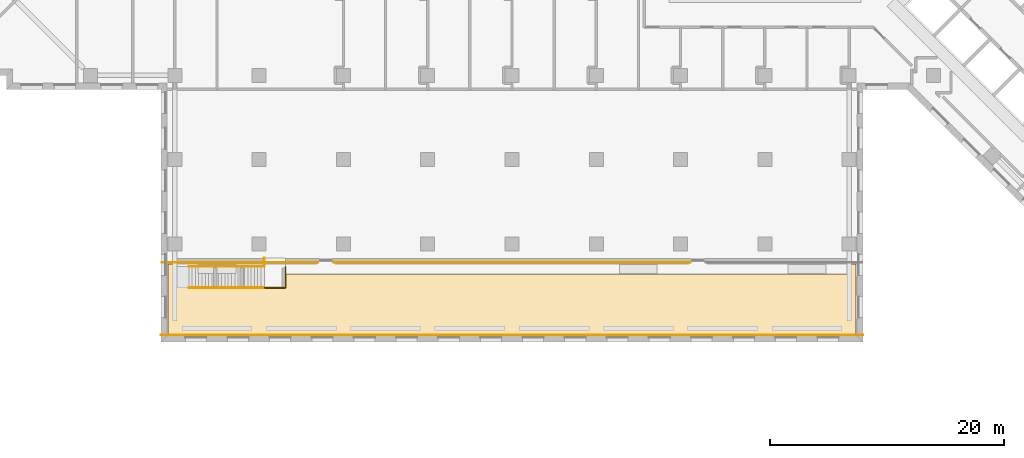
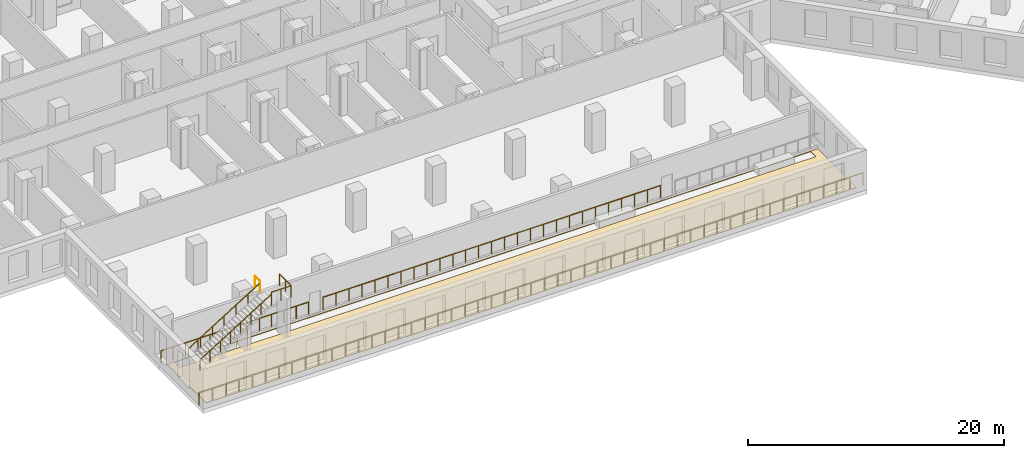
# One storey, part 11 of 14: 7 railings, 1 covering.
"""IFC4 building model written with IfcOpenShell, lengths in metres."""

from ifc_helpers import new_model, si_unit, direction, frame, origin, origin_2d, place, context, subcontext, project, spatial, polyline, circle, outline, extrude, material, layer, layer_set, type_object, element, save


model = new_model("IFC4")

# Units and contexts
model_context = context("Model", 3, precision=1e-05, world=origin(), true_north=direction((0.0, 1.0)))
body_context = subcontext(model_context, "Body", "Model", "MODEL_VIEW")
ifc_project = project(units=[si_unit("LENGTHUNIT", "METRE"), si_unit("AREAUNIT", "SQUARE_METRE"), si_unit("VOLUMEUNIT", "CUBIC_METRE"), si_unit("PLANEANGLEUNIT", "RADIAN"), si_unit("MASSUNIT", "GRAM", prefix="KILO")], contexts=[model_context])

# Site, building, storey
site_placement = place(None, origin())
site = spatial("IfcSite", under=ifc_project, at=site_placement, CompositionType="ELEMENT")
building_placement = place(site_placement, origin())
building = spatial("IfcBuilding", under=site, at=building_placement, Name="Windrow Commons", CompositionType="ELEMENT")
storey_placement = place(building_placement, frame((0.0, 0.0, 10.2)))
storey = spatial("IfcBuildingStorey", under=building, at=storey_placement, Name="L02", CompositionType="ELEMENT", Elevation=10.2)

# Railings
ifc_material_1 = material(Name="Stainless steel S316 balustrade with toughened glass infill", Category="steel")
railing_type_1 = type_object("IfcRailingType", Name="Terrace guard 1100", PredefinedType="BALUSTRADE", material=ifc_material_1)
railing_1_placement = place(storey_placement, frame((15.6, 25.05, 0.0)))
element("IfcRailing", 1, at=railing_1_placement, inside=storey, type_object=railing_type_1, Name="Public stair guard L02.1", PredefinedType="BALUSTRADE", context=body_context, shape_type="SweptSolid", body=[
    extrude(circle(Radius=0.025, at=origin_2d()), frame((0.0, 0.0, 1.075), z_axis=(0.847998304, 0.0, 0.52999894), x_axis=(0.0, 1.0, 0.0)), (0.0, 0.0, 1.0), 7.5944),
    extrude(circle(Radius=0.02, at=origin_2d()), origin(), (0.0, 0.0, 1.0), 1.05),
    extrude(circle(Radius=0.02, at=origin_2d()), frame((0.92, 0.0, 0.575)), (0.0, 0.0, 1.0), 1.05),
    extrude(circle(Radius=0.02, at=origin_2d()), frame((1.84, 0.0, 1.15)), (0.0, 0.0, 1.0), 1.05),
    extrude(circle(Radius=0.02, at=origin_2d()), frame((2.76, 0.0, 1.725)), (0.0, 0.0, 1.0), 1.05),
    extrude(circle(Radius=0.02, at=origin_2d()), frame((3.68, 0.0, 2.3)), (0.0, 0.0, 1.0), 1.05),
    extrude(circle(Radius=0.02, at=origin_2d()), frame((4.6, 0.0, 2.875)), (0.0, 0.0, 1.0), 1.05),
    extrude(circle(Radius=0.02, at=origin_2d()), frame((5.52, 0.0, 3.45)), (0.0, 0.0, 1.0), 1.05),
    extrude(circle(Radius=0.02, at=origin_2d()), frame((6.44, 0.0, 4.025)), (0.0, 0.0, 1.0), 1.05),
])
railing_2_placement = place(storey_placement, frame((22.04, 25.05, 4.2)))
element("IfcRailing", 2, at=railing_2_placement, inside=storey, type_object=railing_type_1, Name="Public stair guard L02.2", PredefinedType="BALUSTRADE", context=body_context, shape_type="SweptSolid", body=[
    extrude(circle(Radius=0.025, at=origin_2d()), frame((0.0, 0.0, 1.075), z_axis=(1.0, 0.0, 0.0), x_axis=(0.0, 1.0, 0.0)), (0.0, 0.0, 1.0), 1.8),
    extrude(circle(Radius=0.025, at=origin_2d()), frame((1.8, 0.0, 1.075), z_axis=(0.0, 1.0, 0.0), x_axis=(-1.0, 0.0, 0.0)), (0.0, 0.0, 1.0), 1.8),
    extrude(circle(Radius=0.02, at=origin_2d()), origin(), (0.0, 0.0, 1.0), 1.05),
    extrude(circle(Radius=0.02, at=origin_2d()), frame((0.9, 0.0, 0.0)), (0.0, 0.0, 1.0), 1.05),
    extrude(circle(Radius=0.02, at=origin_2d()), frame((1.8, 0.0, 0.0)), (0.0, 0.0, 1.0), 1.05),
    extrude(circle(Radius=0.02, at=origin_2d()), frame((1.8, 0.9, 0.0)), (0.0, 0.0, 1.0), 1.05),
    extrude(circle(Radius=0.02, at=origin_2d()), frame((1.8, 1.8, 0.0)), (0.0, 0.0, 1.0), 1.05),
])
railing_3_placement = place(storey_placement, frame((22.04, 26.85, 4.2)))
element("IfcRailing", 3, at=railing_3_placement, inside=storey, type_object=railing_type_1, Name="Public stair guard L02.3", PredefinedType="BALUSTRADE", context=body_context, shape_type="SweptSolid", body=[
    extrude(circle(Radius=0.025, at=origin_2d()), frame((0.0, 0.0, 1.075), z_axis=(0.0, 1.0, 0.0), x_axis=(-1.0, 0.0, 0.0)), (0.0, 0.0, 1.0), 0.75),
    extrude(circle(Radius=0.02, at=origin_2d()), origin(), (0.0, 0.0, 1.0), 1.05),
    extrude(circle(Radius=0.02, at=origin_2d()), frame((0.0, 0.75, 0.0)), (0.0, 0.0, 1.0), 1.05),
])
ifc_material_2 = material(Name="Stainless steel S316 balustrade with toughened glass infill", Category="steel")
railing_type_2 = type_object("IfcRailingType", Name="Terrace guard 1200 podium", PredefinedType="BALUSTRADE", material=ifc_material_2)
railing_4_placement = place(storey_placement, frame((13.2, 21.02, 0.05)))
element("IfcRailing", 4, at=railing_4_placement, inside=storey, type_object=railing_type_2, Name="Guard TR-L02-1.S4", PredefinedType="BALUSTRADE", context=body_context, shape_type="SweptSolid", body=[
    extrude(circle(Radius=0.025, at=origin_2d()), frame((0.0, 0.0, 1.175), z_axis=(1.0, 0.0, 0.0), x_axis=(0.0, 1.0, 0.0)), (0.0, 0.0, 1.0), 60.0),
    extrude(circle(Radius=0.02, at=origin_2d()), origin(), (0.0, 0.0, 1.0), 1.15),
    extrude(circle(Radius=0.02, at=origin_2d()), frame((1.2, 0.0, 0.0)), (0.0, 0.0, 1.0), 1.15),
    extrude(circle(Radius=0.02, at=origin_2d()), frame((2.4, 0.0, 0.0)), (0.0, 0.0, 1.0), 1.15),
    extrude(circle(Radius=0.02, at=origin_2d()), frame((3.6, 0.0, 0.0)), (0.0, 0.0, 1.0), 1.15),
    extrude(circle(Radius=0.02, at=origin_2d()), frame((4.8, 0.0, 0.0)), (0.0, 0.0, 1.0), 1.15),
    extrude(circle(Radius=0.02, at=origin_2d()), frame((6.0, 0.0, 0.0)), (0.0, 0.0, 1.0), 1.15),
    extrude(circle(Radius=0.02, at=origin_2d()), frame((7.2, 0.0, 0.0)), (0.0, 0.0, 1.0), 1.15),
    extrude(circle(Radius=0.02, at=origin_2d()), frame((8.4, 0.0, 0.0)), (0.0, 0.0, 1.0), 1.15),
    extrude(circle(Radius=0.02, at=origin_2d()), frame((9.6, 0.0, 0.0)), (0.0, 0.0, 1.0), 1.15),
    extrude(circle(Radius=0.02, at=origin_2d()), frame((10.8, 0.0, 0.0)), (0.0, 0.0, 1.0), 1.15),
    extrude(circle(Radius=0.02, at=origin_2d()), frame((12.0, 0.0, 0.0)), (0.0, 0.0, 1.0), 1.15),
    extrude(circle(Radius=0.02, at=origin_2d()), frame((13.2, 0.0, 0.0)), (0.0, 0.0, 1.0), 1.15),
    extrude(circle(Radius=0.02, at=origin_2d()), frame((14.4, 0.0, 0.0)), (0.0, 0.0, 1.0), 1.15),
    extrude(circle(Radius=0.02, at=origin_2d()), frame((15.6, 0.0, 0.0)), (0.0, 0.0, 1.0), 1.15),
    extrude(circle(Radius=0.02, at=origin_2d()), frame((16.8, 0.0, 0.0)), (0.0, 0.0, 1.0), 1.15),
    extrude(circle(Radius=0.02, at=origin_2d()), frame((18.0, 0.0, 0.0)), (0.0, 0.0, 1.0), 1.15),
    extrude(circle(Radius=0.02, at=origin_2d()), frame((19.2, 0.0, 0.0)), (0.0, 0.0, 1.0), 1.15),
    extrude(circle(Radius=0.02, at=origin_2d()), frame((20.4, 0.0, 0.0)), (0.0, 0.0, 1.0), 1.15),
    extrude(circle(Radius=0.02, at=origin_2d()), frame((21.6, 0.0, 0.0)), (0.0, 0.0, 1.0), 1.15),
    extrude(circle(Radius=0.02, at=origin_2d()), frame((22.8, 0.0, 0.0)), (0.0, 0.0, 1.0), 1.15),
    extrude(circle(Radius=0.02, at=origin_2d()), frame((24.0, 0.0, 0.0)), (0.0, 0.0, 1.0), 1.15),
    extrude(circle(Radius=0.02, at=origin_2d()), frame((25.2, 0.0, 0.0)), (0.0, 0.0, 1.0), 1.15),
    extrude(circle(Radius=0.02, at=origin_2d()), frame((26.4, 0.0, 0.0)), (0.0, 0.0, 1.0), 1.15),
    extrude(circle(Radius=0.02, at=origin_2d()), frame((27.6, 0.0, 0.0)), (0.0, 0.0, 1.0), 1.15),
    extrude(circle(Radius=0.02, at=origin_2d()), frame((28.8, 0.0, 0.0)), (0.0, 0.0, 1.0), 1.15),
    extrude(circle(Radius=0.02, at=origin_2d()), frame((30.0, 0.0, 0.0)), (0.0, 0.0, 1.0), 1.15),
    extrude(circle(Radius=0.02, at=origin_2d()), frame((31.2, 0.0, 0.0)), (0.0, 0.0, 1.0), 1.15),
    extrude(circle(Radius=0.02, at=origin_2d()), frame((32.4, 0.0, 0.0)), (0.0, 0.0, 1.0), 1.15),
    extrude(circle(Radius=0.02, at=origin_2d()), frame((33.6, 0.0, 0.0)), (0.0, 0.0, 1.0), 1.15),
    extrude(circle(Radius=0.02, at=origin_2d()), frame((34.8, 0.0, 0.0)), (0.0, 0.0, 1.0), 1.15),
    extrude(circle(Radius=0.02, at=origin_2d()), frame((36.0, 0.0, 0.0)), (0.0, 0.0, 1.0), 1.15),
    extrude(circle(Radius=0.02, at=origin_2d()), frame((37.2, 0.0, 0.0)), (0.0, 0.0, 1.0), 1.15),
    extrude(circle(Radius=0.02, at=origin_2d()), frame((38.4, 0.0, 0.0)), (0.0, 0.0, 1.0), 1.15),
    extrude(circle(Radius=0.02, at=origin_2d()), frame((39.6, 0.0, 0.0)), (0.0, 0.0, 1.0), 1.15),
    extrude(circle(Radius=0.02, at=origin_2d()), frame((40.8, 0.0, 0.0)), (0.0, 0.0, 1.0), 1.15),
    extrude(circle(Radius=0.02, at=origin_2d()), frame((42.0, 0.0, 0.0)), (0.0, 0.0, 1.0), 1.15),
    extrude(circle(Radius=0.02, at=origin_2d()), frame((43.2, 0.0, 0.0)), (0.0, 0.0, 1.0), 1.15),
    extrude(circle(Radius=0.02, at=origin_2d()), frame((44.4, 0.0, 0.0)), (0.0, 0.0, 1.0), 1.15),
    extrude(circle(Radius=0.02, at=origin_2d()), frame((45.6, 0.0, 0.0)), (0.0, 0.0, 1.0), 1.15),
    extrude(circle(Radius=0.02, at=origin_2d()), frame((46.8, 0.0, 0.0)), (0.0, 0.0, 1.0), 1.15),
    extrude(circle(Radius=0.02, at=origin_2d()), frame((48.0, 0.0, 0.0)), (0.0, 0.0, 1.0), 1.15),
    extrude(circle(Radius=0.02, at=origin_2d()), frame((49.2, 0.0, 0.0)), (0.0, 0.0, 1.0), 1.15),
    extrude(circle(Radius=0.02, at=origin_2d()), frame((50.4, 0.0, 0.0)), (0.0, 0.0, 1.0), 1.15),
    extrude(circle(Radius=0.02, at=origin_2d()), frame((51.6, 0.0, 0.0)), (0.0, 0.0, 1.0), 1.15),
    extrude(circle(Radius=0.02, at=origin_2d()), frame((52.8, 0.0, 0.0)), (0.0, 0.0, 1.0), 1.15),
    extrude(circle(Radius=0.02, at=origin_2d()), frame((54.0, 0.0, 0.0)), (0.0, 0.0, 1.0), 1.15),
    extrude(circle(Radius=0.02, at=origin_2d()), frame((55.2, 0.0, 0.0)), (0.0, 0.0, 1.0), 1.15),
    extrude(circle(Radius=0.02, at=origin_2d()), frame((56.4, 0.0, 0.0)), (0.0, 0.0, 1.0), 1.15),
    extrude(circle(Radius=0.02, at=origin_2d()), frame((57.6, 0.0, 0.0)), (0.0, 0.0, 1.0), 1.15),
    extrude(circle(Radius=0.02, at=origin_2d()), frame((58.8, 0.0, 0.0)), (0.0, 0.0, 1.0), 1.15),
    extrude(circle(Radius=0.02, at=origin_2d()), frame((60.0, 0.0, 0.0)), (0.0, 0.0, 1.0), 1.15),
])
railing_5_placement = place(storey_placement, frame((58.45, 27.2, 0.25)))
element("IfcRailing", 5, at=railing_5_placement, inside=storey, type_object=railing_type_2, Name="Guard TR-L02-1.1", PredefinedType="BALUSTRADE", context=body_context, shape_type="SweptSolid", body=[
    extrude(circle(Radius=0.025, at=origin_2d()), frame((0.0, 0.0, 1.175), z_axis=(-1.0, 0.0, 0.0), x_axis=(0.0, -1.0, 0.0)), (0.0, 0.0, 1.0), 30.5),
    extrude(circle(Radius=0.02, at=origin_2d()), origin(), (0.0, 0.0, 1.0), 1.15),
    extrude(circle(Radius=0.02, at=origin_2d()), frame((-1.1731, 0.0, 0.0)), (0.0, 0.0, 1.0), 1.15),
    extrude(circle(Radius=0.02, at=origin_2d()), frame((-2.3462, 0.0, 0.0)), (0.0, 0.0, 1.0), 1.15),
    extrude(circle(Radius=0.02, at=origin_2d()), frame((-3.5192, 0.0, 0.0)), (0.0, 0.0, 1.0), 1.15),
    extrude(circle(Radius=0.02, at=origin_2d()), frame((-4.6923, 0.0, 0.0)), (0.0, 0.0, 1.0), 1.15),
    extrude(circle(Radius=0.02, at=origin_2d()), frame((-5.8654, 0.0, 0.0)), (0.0, 0.0, 1.0), 1.15),
    extrude(circle(Radius=0.02, at=origin_2d()), frame((-7.0385, 0.0, 0.0)), (0.0, 0.0, 1.0), 1.15),
    extrude(circle(Radius=0.02, at=origin_2d()), frame((-8.2115, 0.0, 0.0)), (0.0, 0.0, 1.0), 1.15),
    extrude(circle(Radius=0.02, at=origin_2d()), frame((-9.3846, 0.0, 0.0)), (0.0, 0.0, 1.0), 1.15),
    extrude(circle(Radius=0.02, at=origin_2d()), frame((-10.5577, 0.0, 0.0)), (0.0, 0.0, 1.0), 1.15),
    extrude(circle(Radius=0.02, at=origin_2d()), frame((-11.7308, 0.0, 0.0)), (0.0, 0.0, 1.0), 1.15),
    extrude(circle(Radius=0.02, at=origin_2d()), frame((-12.9038, 0.0, 0.0)), (0.0, 0.0, 1.0), 1.15),
    extrude(circle(Radius=0.02, at=origin_2d()), frame((-14.0769, 0.0, 0.0)), (0.0, 0.0, 1.0), 1.15),
    extrude(circle(Radius=0.02, at=origin_2d()), frame((-15.25, 0.0, 0.0)), (0.0, 0.0, 1.0), 1.15),
    extrude(circle(Radius=0.02, at=origin_2d()), frame((-16.4231, 0.0, 0.0)), (0.0, 0.0, 1.0), 1.15),
    extrude(circle(Radius=0.02, at=origin_2d()), frame((-17.5962, 0.0, 0.0)), (0.0, 0.0, 1.0), 1.15),
    extrude(circle(Radius=0.02, at=origin_2d()), frame((-18.7692, 0.0, 0.0)), (0.0, 0.0, 1.0), 1.15),
    extrude(circle(Radius=0.02, at=origin_2d()), frame((-19.9423, 0.0, 0.0)), (0.0, 0.0, 1.0), 1.15),
    extrude(circle(Radius=0.02, at=origin_2d()), frame((-21.1154, 0.0, 0.0)), (0.0, 0.0, 1.0), 1.15),
    extrude(circle(Radius=0.02, at=origin_2d()), frame((-22.2885, 0.0, 0.0)), (0.0, 0.0, 1.0), 1.15),
    extrude(circle(Radius=0.02, at=origin_2d()), frame((-23.4615, 0.0, 0.0)), (0.0, 0.0, 1.0), 1.15),
    extrude(circle(Radius=0.02, at=origin_2d()), frame((-24.6346, 0.0, 0.0)), (0.0, 0.0, 1.0), 1.15),
    extrude(circle(Radius=0.02, at=origin_2d()), frame((-25.8077, 0.0, 0.0)), (0.0, 0.0, 1.0), 1.15),
    extrude(circle(Radius=0.02, at=origin_2d()), frame((-26.9808, 0.0, 0.0)), (0.0, 0.0, 1.0), 1.15),
    extrude(circle(Radius=0.02, at=origin_2d()), frame((-28.1538, 0.0, 0.0)), (0.0, 0.0, 1.0), 1.15),
    extrude(circle(Radius=0.02, at=origin_2d()), frame((-29.3269, 0.0, 0.0)), (0.0, 0.0, 1.0), 1.15),
    extrude(circle(Radius=0.02, at=origin_2d()), frame((-30.5, 0.0, 0.0)), (0.0, 0.0, 1.0), 1.15),
])
railing_6_placement = place(storey_placement, frame((26.65, 27.2, 0.25)))
element("IfcRailing", 6, at=railing_6_placement, inside=storey, type_object=railing_type_2, Name="Guard TR-L02-1.1", PredefinedType="BALUSTRADE", context=body_context, shape_type="SweptSolid", body=[
    extrude(circle(Radius=0.025, at=origin_2d()), frame((0.0, 0.0, 1.175), z_axis=(-1.0, 0.0, 0.0), x_axis=(0.0, -1.0, 0.0)), (0.0, 0.0, 1.0), 13.35),
    extrude(circle(Radius=0.02, at=origin_2d()), origin(), (0.0, 0.0, 1.0), 1.15),
    extrude(circle(Radius=0.02, at=origin_2d()), frame((-1.1125, 0.0, 0.0)), (0.0, 0.0, 1.0), 1.15),
    extrude(circle(Radius=0.02, at=origin_2d()), frame((-2.225, 0.0, 0.0)), (0.0, 0.0, 1.0), 1.15),
    extrude(circle(Radius=0.02, at=origin_2d()), frame((-3.3375, 0.0, 0.0)), (0.0, 0.0, 1.0), 1.15),
    extrude(circle(Radius=0.02, at=origin_2d()), frame((-4.45, 0.0, 0.0)), (0.0, 0.0, 1.0), 1.15),
    extrude(circle(Radius=0.02, at=origin_2d()), frame((-5.5625, 0.0, 0.0)), (0.0, 0.0, 1.0), 1.15),
    extrude(circle(Radius=0.02, at=origin_2d()), frame((-6.675, 0.0, 0.0)), (0.0, 0.0, 1.0), 1.15),
    extrude(circle(Radius=0.02, at=origin_2d()), frame((-7.7875, 0.0, 0.0)), (0.0, 0.0, 1.0), 1.15),
    extrude(circle(Radius=0.02, at=origin_2d()), frame((-8.9, 0.0, 0.0)), (0.0, 0.0, 1.0), 1.15),
    extrude(circle(Radius=0.02, at=origin_2d()), frame((-10.0125, 0.0, 0.0)), (0.0, 0.0, 1.0), 1.15),
    extrude(circle(Radius=0.02, at=origin_2d()), frame((-11.125, 0.0, 0.0)), (0.0, 0.0, 1.0), 1.15),
    extrude(circle(Radius=0.02, at=origin_2d()), frame((-12.2375, 0.0, 0.0)), (0.0, 0.0, 1.0), 1.15),
    extrude(circle(Radius=0.02, at=origin_2d()), frame((-13.35, 0.0, 0.0)), (0.0, 0.0, 1.0), 1.15),
])

# Covering
ifc_material_3 = material(Name="Granite pavers on waterproofing membrane", Category="masonry")
ifc_layer = layer(ifc_material_3, 0.05)
ifc_layer_set = layer_set([ifc_layer], Name="Terrace roofing 50")
covering_type = type_object("IfcCoveringType", Name="Terrace roofing 50", PredefinedType="ROOFING", material=ifc_layer_set)
covering_placement = place(storey_placement, origin())
element("IfcCovering", 7, at=covering_placement, inside=storey, type_object=covering_type, Name="Terrace roofing TR-L02-1", PredefinedType="ROOFING", context=body_context, shape_type="SweptSolid", body=[
    extrude(outline(polyline([(72.6, 27.09), (72.6, 21.0), (13.8, 21.0), (13.8, 27.09), (72.6, 27.09)]), holes=[polyline([(14.45, 27.06), (14.45, 26.24), (71.95, 26.24), (71.95, 27.06), (14.45, 27.06)])]), origin(), (0.0, 0.0, 1.0), 0.05),
])

# Railing
ifc_material_4 = material(Name="Stainless steel S316 handrail", Category="steel")
railing_type_3 = type_object("IfcRailingType", Name="Terrace stair handrail 900", PredefinedType="HANDRAIL", material=ifc_material_4)
railing_7_placement = place(storey_placement, frame((15.6, 26.85, 0.175)))
element("IfcRailing", 8, at=railing_7_placement, inside=storey, type_object=railing_type_3, Name="Public stair handrail L02.1", PredefinedType="HANDRAIL", context=body_context, shape_type="SweptSolid", body=[
    extrude(circle(Radius=0.025, at=origin_2d()), frame((0.0, 0.0, 0.875), z_axis=(0.847998304, 0.0, 0.52999894), x_axis=(0.0, 1.0, 0.0)), (0.0, 0.0, 1.0), 7.5944),
    extrude(circle(Radius=0.02, at=origin_2d()), origin(), (0.0, 0.0, 1.0), 0.85),
    extrude(circle(Radius=0.02, at=origin_2d()), frame((1.0733, 0.0, 0.6708)), (0.0, 0.0, 1.0), 0.85),
    extrude(circle(Radius=0.02, at=origin_2d()), frame((2.1467, 0.0, 1.3417)), (0.0, 0.0, 1.0), 0.85),
    extrude(circle(Radius=0.02, at=origin_2d()), frame((3.22, 0.0, 2.0125)), (0.0, 0.0, 1.0), 0.85),
    extrude(circle(Radius=0.02, at=origin_2d()), frame((4.2933, 0.0, 2.6833)), (0.0, 0.0, 1.0), 0.85),
    extrude(circle(Radius=0.02, at=origin_2d()), frame((5.3667, 0.0, 3.3542)), (0.0, 0.0, 1.0), 0.85),
    extrude(circle(Radius=0.02, at=origin_2d()), frame((6.44, 0.0, 4.025)), (0.0, 0.0, 1.0), 0.85),
])

save(model, "model.ifc")
